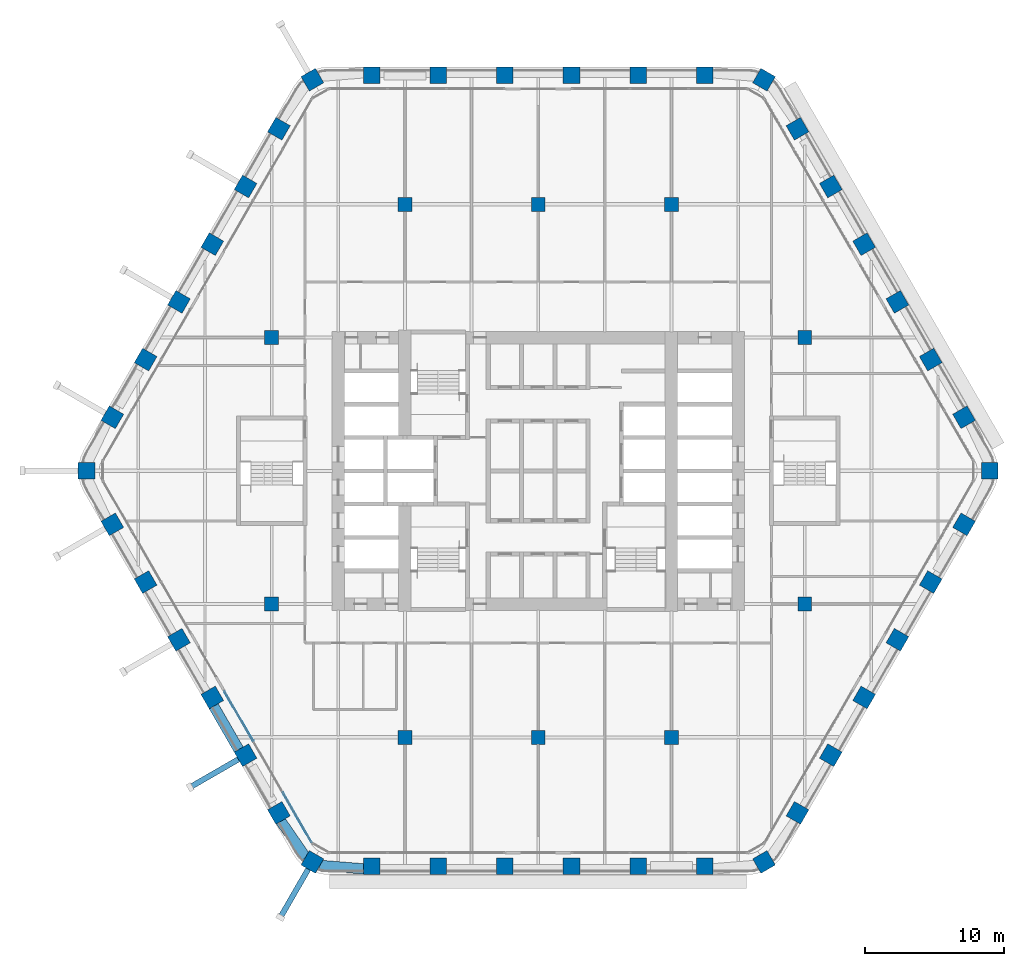
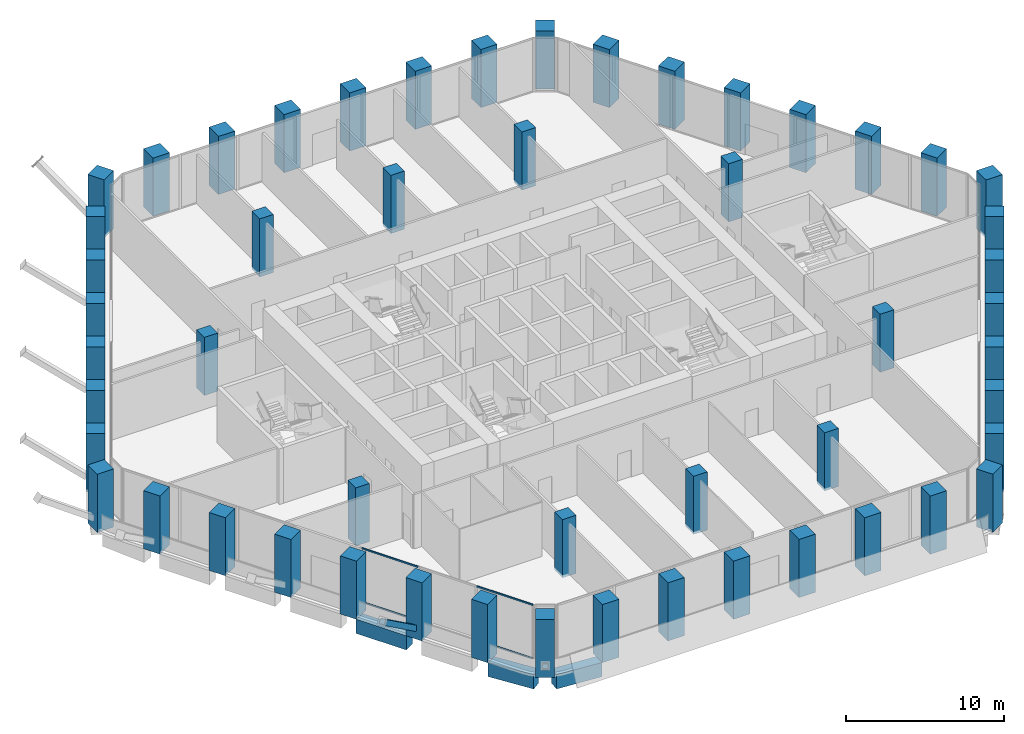
# One storey, part 1 of 27: 52 columns, 6 members, 3 beams, 1 element without a shape of its own.
"""IFC4 building model written with IfcOpenShell, lengths in metres."""

from ifc_helpers import new_model, si_unit, direction, frame, origin, origin_2d, place, context, subcontext, project, spatial, rectangle, hollow_rectangle, extrude, material, material_profile, profile_set, type_object, element, aggregate, save


model = new_model("IFC4")

# Units and contexts
model_context = context("Model", 3, precision=1e-05, world=origin(), true_north=direction((0.0, 1.0)))
body_context = subcontext(model_context, "Body", "Model", "MODEL_VIEW")
ifc_project = project(units=[si_unit("LENGTHUNIT", "METRE"), si_unit("AREAUNIT", "SQUARE_METRE"), si_unit("VOLUMEUNIT", "CUBIC_METRE"), si_unit("PLANEANGLEUNIT", "RADIAN"), si_unit("MASSUNIT", "GRAM", prefix="KILO")], contexts=[model_context])

# Site, building, storey
site_placement = place(None, origin())
site = spatial("IfcSite", under=ifc_project, at=site_placement, CompositionType="ELEMENT")
building_placement = place(site_placement, origin())
building = spatial("IfcBuilding", under=site, at=building_placement, Name="Kolab Exchange Tower", CompositionType="ELEMENT")
storey_placement = place(building_placement, frame((0.0, 0.0, 118.39990234375)))
storey = spatial("IfcBuildingStorey", under=building, at=storey_placement, Name="L23", CompositionType="ELEMENT", Elevation=118.39990234375)

# Columns
ifc_material_1 = material(Name="Concrete C70/85", Category="concrete")
ifc_material_profile_1 = material_profile(ifc_material_1, rectangle(XDim=1.0, YDim=1.0, at=origin_2d()), Name="RC1000")
ifc_profile_set_1 = profile_set([ifc_material_profile_1], Name="Concrete C70/85")
column_type_1 = type_object("IfcColumnType", Name="INTERIOR COLUMN 1000 SQ C70/85", PredefinedType="COLUMN", material=ifc_profile_set_1)
for number, where, z_axis, x_axis, name in (
    (1, (-19.199951171875, -9.60009765625, -0.199951171875), (0.0, 0.0, 1.0), (1.0, 0.0, 0.0), "col/L23/I-I9"),
    (2, (-19.199951171875, 9.60009765625, -0.199951171875), (0.0, 0.0, 1.0), (1.0, 0.0, 0.0), "col/L23/I-I13"),
    (3, (-9.60009765625, -19.199951171875, -0.199951171875), (0.0, 0.0, 1.0), (1.0, 0.0, 0.0), "col/L23/I-K7"),
    (4, (-9.60009765625, 19.199951171875, -0.199951171875), (0.0, 0.0, 1.0), (1.0, 0.0, 0.0), "col/L23/I-K15"),
    (5, (0.0, -19.199951171875, -0.199951171875), (0.0, 0.0, 1.0), (1.0, 0.0, 0.0), "col/L23/I-M7"),
    (6, (0.0, 19.199951171875, -0.199951171875), (0.0, 0.0, 1.0), (1.0, 0.0, 0.0), "col/L23/I-M15"),
    (7, (9.60009765625, -19.199951171875, -0.199951171875), (0.0, 0.0, 1.0), (1.0, 0.0, 0.0), "col/L23/I-O7"),
    (8, (9.60009765625, 19.199951171875, -0.199951171875), (0.0, 0.0, 1.0), (1.0, 0.0, 0.0), "col/L23/I-O15"),
    (9, (19.199951171875, -9.60009765625, -0.199951171875), (0.0, 0.0, 1.0), (1.0, 0.0, 0.0), "col/L23/I-Q9"),
    (10, (19.199951171875, 9.60009765625, -0.199951171875), (0.0, 0.0, 1.0), (1.0, 0.0, 0.0), "col/L23/I-Q13"),
):
    element("IfcColumn", number, at=place(storey_placement, frame(where, z_axis=z_axis, x_axis=x_axis)), inside=storey, type_object=column_type_1, Name=name, PredefinedType="COLUMN", context=body_context, shape_type="SweptSolid", body=[
        extrude(rectangle(XDim=1.0, YDim=1.0, at=origin_2d()), origin(), (0.0, 0.0, 1.0), 4.5),
    ])
ifc_material_profile_2 = material_profile(ifc_material_1, rectangle(XDim=1.199951171875, YDim=1.199951171875, at=origin_2d()), Name="RC1200")
ifc_profile_set_2 = profile_set([ifc_material_profile_2], Name="Concrete C70/85")
column_type_2 = type_object("IfcColumnType", Name="PERIMETER COLUMN 1200 SQ C70/85", PredefinedType="COLUMN", material=ifc_profile_set_2)
for number, where, z_axis, x_axis, name in (
    (11, (-16.26806640625, 28.177001953125, -0.199951171875), (0.0, 0.0, 1.0), (0.866025403784, 0.5, 0.0), "col/L23/F1-01"),
    (12, (-12.0, 28.49853515625, -0.199951171875), (0.0, 0.0, 1.0), (1.0, 0.0, 0.0), "col/L23/F1-02"),
    (13, (-7.199951171875, 28.49853515625, -0.199951171875), (0.0, 0.0, 1.0), (1.0, 0.0, 0.0), "col/L23/F1-03"),
    (14, (-2.39990234375, 28.49853515625, -0.199951171875), (0.0, 0.0, 1.0), (1.0, 0.0, 0.0), "col/L23/F1-04"),
    (15, (2.39990234375, 28.49853515625, -0.199951171875), (0.0, 0.0, 1.0), (1.0, 0.0, 0.0), "col/L23/F1-05"),
    (16, (7.199951171875, 28.49853515625, -0.199951171875), (0.0, 0.0, 1.0), (1.0, 0.0, 0.0), "col/L23/F1-06"),
    (17, (12.0, 28.49853515625, -0.199951171875), (0.0, 0.0, 1.0), (1.0, 0.0, 0.0), "col/L23/F1-07"),
    (18, (16.26806640625, 28.177001953125, -0.199951171875), (0.0, 0.0, 1.0), (0.5, 0.866025403784, 0.0), "col/L23/F2-01"),
    (19, (18.680419921875, 24.6416015625, -0.199951171875), (0.0, 0.0, 1.0), (0.866025403784, 0.5, 0.0), "col/L23/F2-02"),
    (20, (21.080322265625, 20.484619140625, -0.199951171875), (0.0, 0.0, 1.0), (0.866025403784, 0.5, 0.0), "col/L23/F2-03"),
    (21, (23.48046875, 16.32763671875, -0.199951171875), (0.0, 0.0, 1.0), (0.866025403784, 0.5, 0.0), "col/L23/F2-04"),
    (22, (25.88037109375, 12.170654296875, -0.199951171875), (0.0, 0.0, 1.0), (0.866025403784, 0.5, 0.0), "col/L23/F2-05"),
    (23, (28.2802734375, 8.013916015625, -0.199951171875), (0.0, 0.0, 1.0), (0.866025403784, 0.5, 0.0), "col/L23/F2-06"),
    (24, (30.680419921875, 3.85693359375, -0.199951171875), (0.0, 0.0, 1.0), (0.866025403784, 0.5, 0.0), "col/L23/F2-07"),
    (25, (32.535888671875, 0.0, -0.199951171875), (0.0, 0.0, 1.0), (1.0, 0.0, 0.0), "col/L23/F3-01"),
    (26, (30.680419921875, -3.85693359375, -0.199951171875), (0.0, 0.0, 1.0), (0.5, 0.866025403784, 0.0), "col/L23/F3-02"),
    (27, (28.2802734375, -8.013916015625, -0.199951171875), (0.0, 0.0, 1.0), (0.5, 0.866025403784, 0.0), "col/L23/F3-03"),
    (28, (25.88037109375, -12.170654296875, -0.199951171875), (0.0, 0.0, 1.0), (0.5, 0.866025403784, 0.0), "col/L23/F3-04"),
    (29, (23.48046875, -16.32763671875, -0.199951171875), (0.0, 0.0, 1.0), (0.5, 0.866025403784, 0.0), "col/L23/F3-05"),
    (30, (21.080322265625, -20.484619140625, -0.199951171875), (0.0, 0.0, 1.0), (0.5, 0.866025403784, 0.0), "col/L23/F3-06"),
    (31, (18.680419921875, -24.6416015625, -0.199951171875), (0.0, 0.0, 1.0), (0.5, 0.866025403784, 0.0), "col/L23/F3-07"),
    (32, (16.26806640625, -28.177001953125, -0.199951171875), (0.0, 0.0, 1.0), (0.866025403784, 0.5, 0.0), "col/L23/F4-01"),
    (33, (12.0, -28.49853515625, -0.199951171875), (0.0, 0.0, 1.0), (1.0, 0.0, 0.0), "col/L23/F4-02"),
    (34, (7.199951171875, -28.49853515625, -0.199951171875), (0.0, 0.0, 1.0), (1.0, 0.0, 0.0), "col/L23/F4-03"),
    (35, (2.39990234375, -28.49853515625, -0.199951171875), (0.0, 0.0, 1.0), (1.0, 0.0, 0.0), "col/L23/F4-04"),
    (36, (-2.39990234375, -28.49853515625, -0.199951171875), (0.0, 0.0, 1.0), (1.0, 0.0, 0.0), "col/L23/F4-05"),
    (37, (-7.199951171875, -28.49853515625, -0.199951171875), (0.0, 0.0, 1.0), (1.0, 0.0, 0.0), "col/L23/F4-06"),
    (38, (-12.0, -28.49853515625, -0.199951171875), (0.0, 0.0, 1.0), (1.0, 0.0, 0.0), "col/L23/F4-07"),
    (39, (-16.26806640625, -28.177001953125, -0.199951171875), (0.0, 0.0, 1.0), (0.5, 0.866025403784, 0.0), "col/L23/F5-01"),
    (40, (-18.680419921875, -24.6416015625, -0.199951171875), (0.0, 0.0, 1.0), (0.866025403784, 0.5, 0.0), "col/L23/F5-02"),
    (41, (-21.080322265625, -20.484619140625, -0.199951171875), (0.0, 0.0, 1.0), (0.866025403784, 0.5, 0.0), "col/L23/F5-03"),
    (42, (-23.48046875, -16.32763671875, -0.199951171875), (0.0, 0.0, 1.0), (0.866025403784, 0.5, 0.0), "col/L23/F5-04"),
    (43, (-25.88037109375, -12.170654296875, -0.199951171875), (0.0, 0.0, 1.0), (0.866025403784, 0.5, 0.0), "col/L23/F5-05"),
    (44, (-28.2802734375, -8.013916015625, -0.199951171875), (0.0, 0.0, 1.0), (0.866025403784, 0.5, 0.0), "col/L23/F5-06"),
    (45, (-30.680419921875, -3.85693359375, -0.199951171875), (0.0, 0.0, 1.0), (0.866025403784, 0.5, 0.0), "col/L23/F5-07"),
    (46, (-32.535888671875, 0.0, -0.199951171875), (0.0, 0.0, 1.0), (1.0, 0.0, 0.0), "col/L23/F6-01"),
    (47, (-30.680419921875, 3.85693359375, -0.199951171875), (0.0, 0.0, 1.0), (0.5, 0.866025403784, 0.0), "col/L23/F6-02"),
    (48, (-28.2802734375, 8.013916015625, -0.199951171875), (0.0, 0.0, 1.0), (0.5, 0.866025403784, 0.0), "col/L23/F6-03"),
    (49, (-25.88037109375, 12.170654296875, -0.199951171875), (0.0, 0.0, 1.0), (0.5, 0.866025403784, 0.0), "col/L23/F6-04"),
    (50, (-23.48046875, 16.32763671875, -0.199951171875), (0.0, 0.0, 1.0), (0.5, 0.866025403784, 0.0), "col/L23/F6-05"),
    (51, (-21.080322265625, 20.484619140625, -0.199951171875), (0.0, 0.0, 1.0), (0.5, 0.866025403784, 0.0), "col/L23/F6-06"),
    (52, (-18.680419921875, 24.6416015625, -0.199951171875), (0.0, 0.0, 1.0), (0.5, 0.866025403784, 0.0), "col/L23/F6-07"),
):
    element("IfcColumn", number, at=place(storey_placement, frame(where, z_axis=z_axis, x_axis=x_axis)), inside=storey, type_object=column_type_2, Name=name, PredefinedType="COLUMN", context=body_context, shape_type="SweptSolid", body=[
        extrude(rectangle(XDim=1.199951171875, YDim=1.199951171875, at=origin_2d()), origin(), (0.0, 0.0, 1.0), 4.5),
    ])

# Members
ifc_material_2 = material(Name="Steel S355", Category="steel")
ifc_material_profile_3 = material_profile(ifc_material_2, hollow_rectangle(XDim=0.39990234375, YDim=0.39990234375, WallThickness=0.02001953125, at=origin_2d()), Name="HSS400X400X20")
ifc_profile_set_3 = profile_set([ifc_material_profile_3], Name="Steel S355")
member_type_1 = type_object("IfcMemberType", Name="LEDGE STRUT HSS400X400X20", PredefinedType="STRUT", material=ifc_profile_set_3)
for number, where, z_axis, x_axis, name in (
    (53, (-16.5478515625, -28.661865234375, 0.60009765625), (-0.40533170136, -0.702055669831, 0.585511783255), (0.866025579307, -0.499999695987, 0.0), "mem/L23/ledge/strut-0"),
    (54, (-21.5654296875, -20.7646484375, 0.60009765625), (-0.702055669831, -0.40533170136, 0.585511783255), (0.499999695987, -0.866025579307, 0.0), "mem/L23/ledge/strut-1"),
):
    element("IfcMember", number, at=place(storey_placement, frame(where, z_axis=z_axis, x_axis=x_axis)), inside=storey, type_object=member_type_1, Name=name, PredefinedType="STRUT", context=body_context, shape_type="SweptSolid", body=[
        extrude(hollow_rectangle(XDim=0.39990234375, YDim=0.39990234375, WallThickness=0.02001953125, at=origin_2d()), origin(), (0.0, 0.0, 1.0), 4.983642578125),
    ])

# Beams
ifc_material_profile_4 = material_profile(ifc_material_1, rectangle(XDim=0.75, YDim=1.10009765625, at=origin_2d()), Name="RC750X1100")
ifc_profile_set_4 = profile_set([ifc_material_profile_4], Name="Concrete C70/85")
beam_type = type_object("IfcBeamType", Name="SPANDREL BEAM 750X1100 C70/85", PredefinedType="BEAM", material=ifc_profile_set_4)
for number, where, z_axis, x_axis, name in (
    (55, (-12.56005859375, -28.678466796875, -0.75), (-0.996791038408, 0.080047646748, 0.0), (-0.080047646748, -0.996791038408, 0.0), "beam/L23/sp/F4-07"),
    (56, (-16.73486328125, -27.85791015625, -0.75), (-0.567661826262, 0.823261836237, 0.0), (-0.823261836237, -0.567661826262, 0.0), "beam/L23/sp/F5-01"),
):
    element("IfcBeam", number, at=place(storey_placement, frame(where, z_axis=z_axis, x_axis=x_axis)), inside=storey, type_object=beam_type, Name=name, PredefinedType="BEAM", context=body_context, shape_type="SweptSolid", body=[
        extrude(rectangle(XDim=0.75, YDim=1.10009765625, at=origin_2d()), origin(), (0.0, 0.0, 1.0), 3.20849609375),
    ])
beam_placement = place(storey_placement, frame((-21.55517578125, -20.112060546875, -0.75), z_axis=(-0.500013413428, 0.866017659399, 0.0), x_axis=(-0.866017659399, -0.500013413428, 0.0)))
element("IfcBeam", 57, at=beam_placement, inside=storey, type_object=beam_type, Name="beam/L23/sp/F5-03", PredefinedType="BEAM", context=body_context, shape_type="SweptSolid", body=[
    extrude(rectangle(XDim=0.75, YDim=1.10009765625, at=origin_2d()), origin(), (0.0, 0.0, 1.0), 3.68017578125),
])

# Curtain wall, members
ifc_material_3 = material(Name="Aluminium EN AW-6063 T6", Category="aluminium")
curtain_wall_type = type_object("IfcCurtainWallType", Name="UNITISED LOWER MID ZONE CURTAIN WALL", PredefinedType="NOTDEFINED", material=ifc_material_3)
curtain_wall_placement = place(storey_placement, origin())
curtain_wall = element("IfcCurtainWall", 58, at=curtain_wall_placement, inside=storey, type_object=curtain_wall_type, Name="cw/L23/F5-1", PredefinedType="NOTDEFINED")
ifc_material_profile_5 = material_profile(ifc_material_3, rectangle(XDim=0.06005859375, YDim=0.1201171875, at=origin_2d()), Name="RECT 60X120")
ifc_profile_set_5 = profile_set([ifc_material_profile_5], Name="Aluminium EN AW-6063 T6")
member_type_2 = type_object("IfcMemberType", Name="UNITISED LOWER MID ZONE TRANSOM 60 X 120", PredefinedType="USERDEFINED", material=ifc_profile_set_5)
member_1_placement = place(storey_placement, frame((-16.32763671875, -26.756591796875, 0.030029296875), z_axis=(-0.500001996123, 0.866024251319, 0.0), x_axis=(-0.866024251319, -0.500001996123, 0.0)))
member_1 = element("IfcMember", 59, at=member_1_placement, type_object=member_type_2, Name="CW2 transom 1.1", ObjectType="TRANSOM", PredefinedType="USERDEFINED", context=body_context, shape_type="SweptSolid", body=[
    extrude(rectangle(XDim=0.06005859375, YDim=0.1201171875, at=origin_2d()), origin(), (0.0, 0.0, 1.0), 4.1328125),
])
member_2_placement = place(storey_placement, frame((-16.32763671875, -26.756591796875, 4.170166015625), z_axis=(-0.500001996123, 0.866024251319, 0.0), x_axis=(-0.866024251319, -0.500001996123, 0.0)))
member_2 = element("IfcMember", 60, at=member_2_placement, type_object=member_type_2, Name="CW2 transom 1.2", ObjectType="TRANSOM", PredefinedType="USERDEFINED", context=body_context, shape_type="SweptSolid", body=[
    extrude(rectangle(XDim=0.06005859375, YDim=0.1201171875, at=origin_2d()), origin(), (0.0, 0.0, 1.0), 4.1328125),
])
member_3_placement = place(storey_placement, frame((-20.535400390625, -19.46875, 0.030029296875), z_axis=(-0.499957688808, 0.866049830784, 0.0), x_axis=(-0.866049830784, -0.499957688808, 0.0)))
member_3 = element("IfcMember", 61, at=member_3_placement, type_object=member_type_2, Name="CW2 transom 3.1", ObjectType="TRANSOM", PredefinedType="USERDEFINED", context=body_context, shape_type="SweptSolid", body=[
    extrude(rectangle(XDim=0.06005859375, YDim=0.1201171875, at=origin_2d()), origin(), (0.0, 0.0, 1.0), 4.132568359375),
])
member_4_placement = place(storey_placement, frame((-20.535400390625, -19.46875, 4.170166015625), z_axis=(-0.499957688808, 0.866049830784, 0.0), x_axis=(-0.866049830784, -0.499957688808, 0.0)))
member_4 = element("IfcMember", 62, at=member_4_placement, type_object=member_type_2, Name="CW2 transom 3.2", ObjectType="TRANSOM", PredefinedType="USERDEFINED", context=body_context, shape_type="SweptSolid", body=[
    extrude(rectangle(XDim=0.06005859375, YDim=0.1201171875, at=origin_2d()), origin(), (0.0, 0.0, 1.0), 4.132568359375),
])
aggregate(curtain_wall, [member_1, member_2, member_3, member_4])

save(model, "model.ifc")
